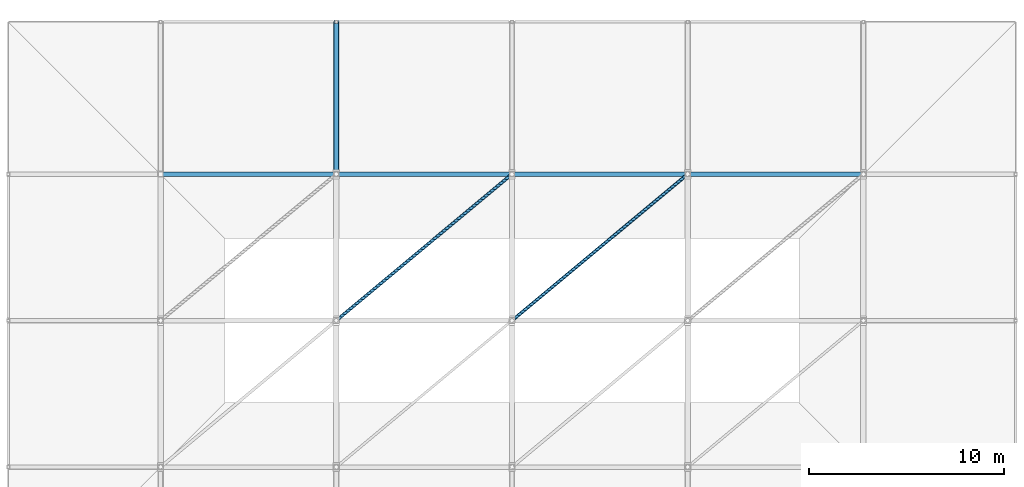
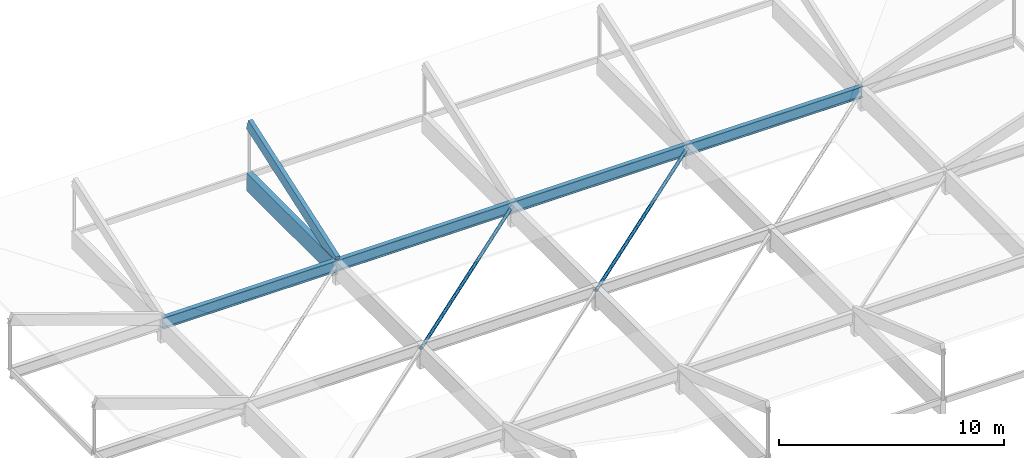
# One storey, part 9 of 19: 3 members, 2 beams.
"""IFC4 building model written with IfcOpenShell, lengths in metres."""

from ifc_helpers import new_model, si_unit, direction, frame, origin, origin_2d, place, context, subcontext, project, spatial, rectangle, hollow_circle, i_section, extrude, material, material_profile, profile_set, type_object, element, save


model = new_model("IFC4")

# Units and contexts
model_context = context("Model", 3, precision=1e-05, world=origin(), true_north=direction((0.0, 1.0)))
body_context = subcontext(model_context, "Body", "Model", "MODEL_VIEW")
ifc_project = project(units=[si_unit("LENGTHUNIT", "METRE"), si_unit("AREAUNIT", "SQUARE_METRE"), si_unit("VOLUMEUNIT", "CUBIC_METRE"), si_unit("PLANEANGLEUNIT", "RADIAN"), si_unit("MASSUNIT", "GRAM", prefix="KILO")], contexts=[model_context])

# Site, building, storey
site_placement = place(None, origin())
site = spatial("IfcSite", under=ifc_project, at=site_placement, CompositionType="ELEMENT")
building_placement = place(site_placement, origin())
building = spatial("IfcBuilding", under=site, at=building_placement, Name="Marnridge Secondary College", CompositionType="ELEMENT")
storey_placement = place(building_placement, frame((0.0, 0.0, 23.699951171875)))
storey = spatial("IfcBuildingStorey", under=building, at=storey_placement, Name="Roof Level", CompositionType="ELEMENT", Elevation=23.699951171875)

# Beams
ifc_material_1 = material(Name="Glulam timber GL18", Category="wood")
ifc_material_profile_1 = material_profile(ifc_material_1, rectangle(XDim=0.280029296875, YDim=0.97998046875, at=origin_2d()), Name="GL18 280x980")
ifc_profile_set_1 = profile_set([ifc_material_profile_1], Name="Glulam timber GL18")
beam_type_1 = type_object("IfcBeamType", Name="BM-GL980-EXT", PredefinedType="BEAM", material=ifc_profile_set_1)
beam_1_placement = place(storey_placement, frame((63.0, 67.651611328125, 0.81005859375), z_axis=(0.0, 1.0, 0.0), x_axis=(-1.0, 0.0, 0.0)))
element("IfcBeam", 1, at=beam_1_placement, inside=storey, type_object=beam_type_1, Name="Beam BCAN-Roo-1491", PredefinedType="BEAM", context=body_context, shape_type="SweptSolid", body=[
    extrude(rectangle(XDim=0.280029296875, YDim=0.97998046875, at=origin_2d()), origin(), (0.0, 0.0, 1.0), 7.6484375),
])
ifc_material_2 = material(Name="Structural steel Grade 350 (AS/NZS 3679.1/.2, fy = 340-360 MPa)", Category="steel")
ifc_material_profile_2 = material_profile(ifc_material_2, i_section(OverallWidth=0.22900390625, OverallDepth=0.611572265625, WebThickness=0.011962890625, FlangeThickness=0.01953125, FilletRadius=0.013916015625, at=origin_2d()), Name="610UB125")
ifc_profile_set_2 = profile_set([ifc_material_profile_2], Name="Structural steel Grade 350 (AS/NZS 3679.1/.2, fy = 340-360 MPa)")
beam_type_2 = type_object("IfcBeamType", Name="BM-UB610-EXT", PredefinedType="BEAM", material=ifc_profile_set_2)
beam_2_placement = place(storey_placement, frame((54.0, 67.5, 0.994140625), z_axis=(1.0, 0.0, 0.0), x_axis=(0.0, 1.0, 0.0)))
element("IfcBeam", 2, at=beam_2_placement, inside=storey, type_object=beam_type_2, Name="Beam BCAN-Roo-1483", PredefinedType="BEAM", context=body_context, shape_type="SweptSolid", body=[
    extrude(i_section(OverallWidth=0.22900390625, OverallDepth=0.611572265625, WebThickness=0.011962890625, FlangeThickness=0.01953125, FilletRadius=0.013916015625, at=origin_2d()), origin(), (0.0, 0.0, 1.0), 36.0),
])

# Members
ifc_material_3 = material(Name="Cold-formed steel Grade C350L0 (AS/NZS 1163, fy = 350 MPa)", Category="steel")
ifc_material_profile_3 = material_profile(ifc_material_3, hollow_circle(Radius=0.084228515625, WallThickness=0.00634765625, at=origin_2d()), Name="168.3x6.4CHS")
ifc_profile_set_3 = profile_set([ifc_material_profile_3], Name="Cold-formed steel Grade C350L0 (AS/NZS 1163, fy = 350 MPa)")
member_type_1 = type_object("IfcMemberType", Name="MB-BR-CHS168E", PredefinedType="BRACE", material=ifc_profile_set_3)
for number, where, z_axis, x_axis, name in (
    (3, (63.0, 60.0, 1.0), (0.768221279597, 0.640184399664, 0.0), (-0.640184399664, 0.768221279597, 0.0), "Lateral brace BR-016"),
    (4, (72.0, 60.0, 1.0), (0.768221279597, 0.640184399664, 0.0), (-0.640184399664, 0.768221279597, 0.0), "Lateral brace BR-017"),
):
    element("IfcMember", number, at=place(storey_placement, frame(where, z_axis=z_axis, x_axis=x_axis)), inside=storey, type_object=member_type_1, Name=name, PredefinedType="BRACE", context=body_context, shape_type="SweptSolid", body=[
        extrude(hollow_circle(Radius=0.084228515625, WallThickness=0.00634765625, at=origin_2d()), origin(), (0.0, 0.0, 1.0), 11.71533203125),
    ])
ifc_material_4 = material(Name="Glulam timber GL18", Category="wood")
ifc_material_profile_4 = material_profile(ifc_material_4, rectangle(XDim=0.215087890625, YDim=0.5849609375, at=origin_2d()), Name="GL18 215x585")
ifc_profile_set_4 = profile_set([ifc_material_profile_4], Name="Glulam timber GL18")
member_type_2 = type_object("IfcMemberType", Name="MB-GS-GL585", PredefinedType="CHORD", material=ifc_profile_set_4)
member_placement = place(storey_placement, frame((63.0, 67.5, 1.219970703125), z_axis=(0.0, 0.944796411745, 0.327657962444), x_axis=(-1.0, 0.0, 0.0)))
element("IfcMember", 5, at=member_placement, inside=storey, type_object=member_type_2, Name="Canopy overhang truss chord MCR-004", PredefinedType="CHORD", context=body_context, shape_type="SweptSolid", body=[
    extrude(rectangle(XDim=0.215087890625, YDim=0.5849609375, at=origin_2d()), origin(), (0.0, 0.0, 1.0), 8.255859375),
])

save(model, "model.ifc")
